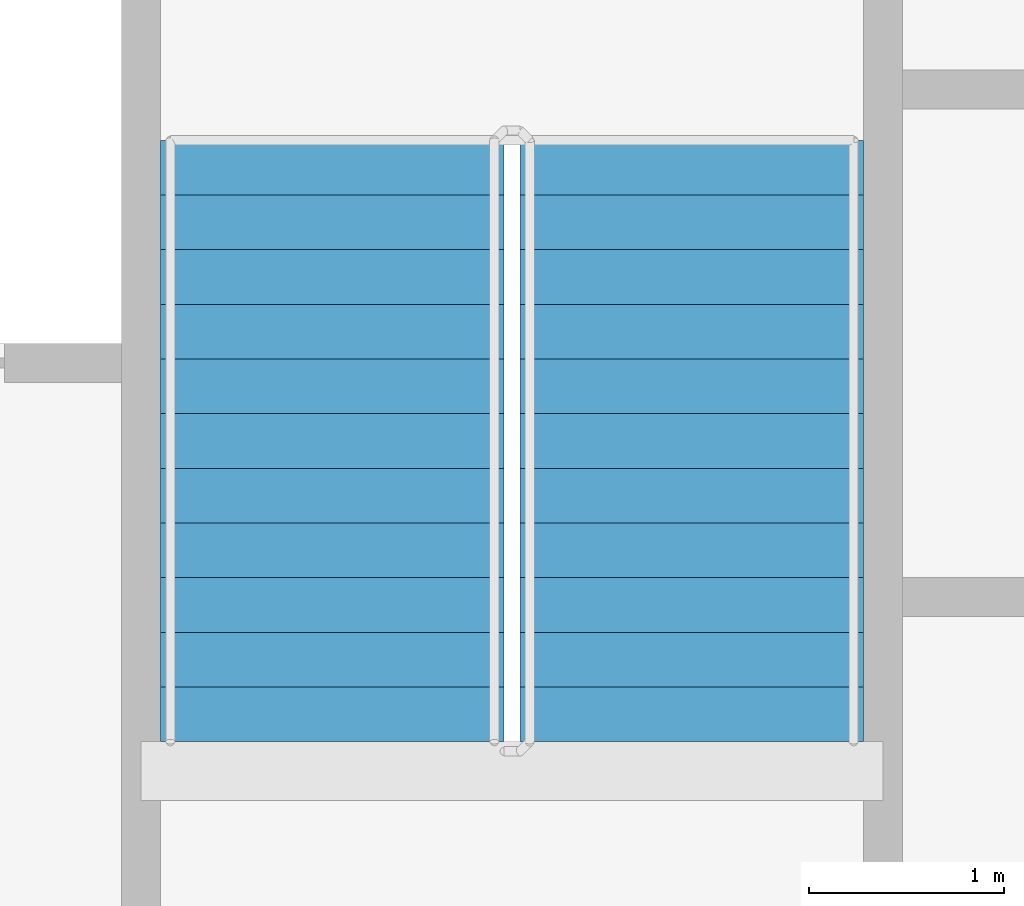
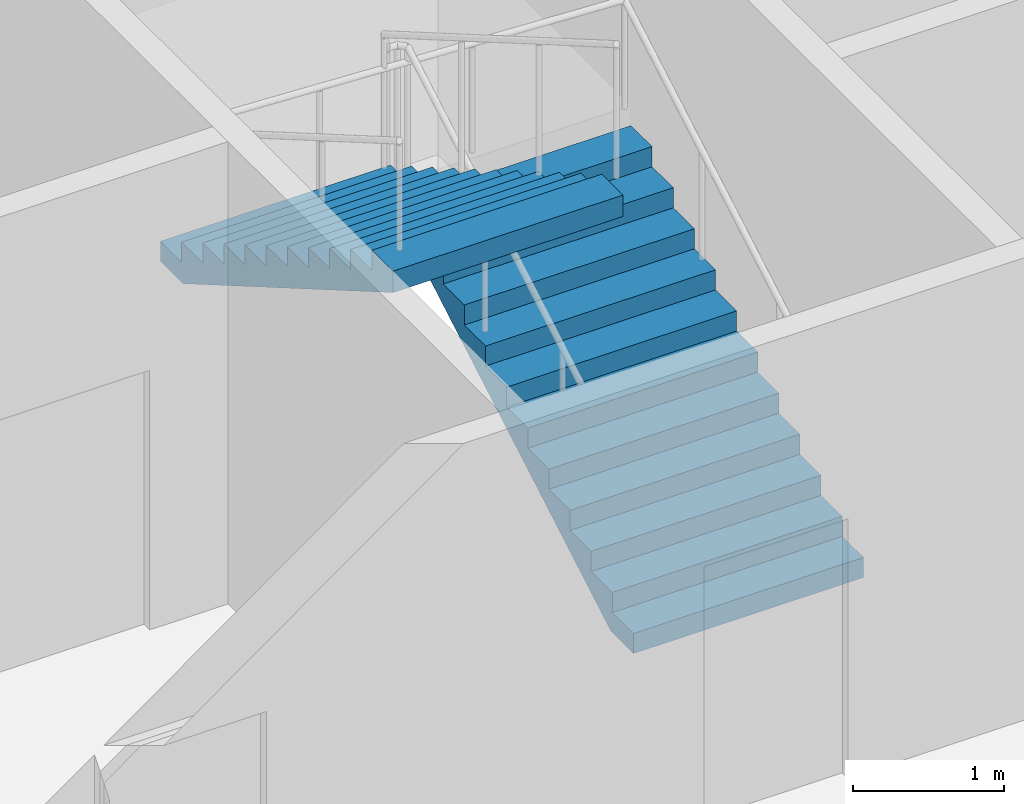
# One storey, part 10 of 15: 2 stair flights, 1 element without a shape of its own.
"""IFC4 building model written with IfcOpenShell, lengths in metres."""

from ifc_helpers import new_model, si_unit, direction, frame, origin, place, context, subcontext, project, spatial, faceted_brep, material, type_object, element, aggregate, save


model = new_model("IFC4")

# Units and contexts
model_context = context("Model", 3, precision=1e-05, world=origin(), true_north=direction((0.0, 1.0)))
body_context = subcontext(model_context, "Body", "Model", "MODEL_VIEW")
ifc_project = project(units=[si_unit("LENGTHUNIT", "METRE"), si_unit("AREAUNIT", "SQUARE_METRE"), si_unit("VOLUMEUNIT", "CUBIC_METRE"), si_unit("PLANEANGLEUNIT", "RADIAN"), si_unit("MASSUNIT", "GRAM", prefix="KILO")], contexts=[model_context])

# Site, building, storey
site_placement = place(None, origin())
site = spatial("IfcSite", under=ifc_project, at=site_placement, CompositionType="ELEMENT")
building_placement = place(site_placement, origin())
building = spatial("IfcBuilding", under=site, at=building_placement, Name="Tarsis Ring Headquarters", CompositionType="ELEMENT")
storey_placement = place(building_placement, frame((0.0, 0.0, 51.699951171875)))
storey = spatial("IfcBuildingStorey", under=building, at=storey_placement, Name="L10", CompositionType="ELEMENT", Elevation=51.699951171875)

# Stair, stair flights
ifc_material_1 = material(Name="Core stair 1760")
stair_type = type_object("IfcStairType", Name="Core stair 1760", PredefinedType="HALF_TURN_STAIR", material=ifc_material_1)
stair_placement = place(storey_placement, origin())
stair = element("IfcStair", 1, at=stair_placement, inside=storey, type_object=stair_type, Name="L10 Exit stair B", PredefinedType="HALF_TURN_STAIR")
ifc_material_2 = material(Name="Concrete C40/50", Category="concrete")
stair_flight_type = type_object("IfcStairFlightType", Name="Core stair flight 1760", PredefinedType="STRAIGHT", material=ifc_material_2)
stair_flight_1_placement = place(storey_placement, frame((5.419921875, 3.659912109375, 0.0), z_axis=(0.0, 0.0, 1.0), x_axis=(0.0, 1.0, 0.0)))
stair_flight_1 = element("IfcStairFlight", 2, at=stair_flight_1_placement, type_object=stair_flight_type, Name="Stair ST2 flight 1", NumberOfRisers=12, NumberOfTreads=11, PredefinedType="STRAIGHT", RiserHeight=0.1625, TreadLength=0.28, context=body_context, shape_type="Brep", body=[
    faceted_brep([(0.0, 0.8798828125, 0.0), (0.0, 0.8798828125, 0.16259765625), (0.280029296875, 0.8798828125, 0.16259765625), (0.280029296875, 0.8798828125, 0.324951171875), (0.56005859375, 0.8798828125, 0.324951171875), (0.56005859375, 0.8798828125, 0.487548828125), (0.840087890625, 0.8798828125, 0.487548828125), (0.840087890625, 0.8798828125, 0.64990234375), (1.1201171875, 0.8798828125, 0.64990234375), (1.1201171875, 0.8798828125, 0.8125), (1.39990234375, 0.8798828125, 0.8125), (1.39990234375, 0.8798828125, 0.97509765625), (1.679931640625, 0.8798828125, 0.97509765625), (1.679931640625, 0.8798828125, 1.137451171875), (1.9599609375, 0.8798828125, 1.137451171875), (1.9599609375, 0.8798828125, 1.300048828125), (2.239990234375, 0.8798828125, 1.300048828125), (2.239990234375, 0.8798828125, 1.46240234375), (2.52001953125, 0.8798828125, 1.46240234375), (2.52001953125, 0.8798828125, 1.625), (2.800048828125, 0.8798828125, 1.625), (2.800048828125, 0.8798828125, 1.78759765625), (3.080078125, 0.8798828125, 1.78759765625), (3.080078125, 0.8798828125, 1.6142578125), (0.298583984375, 0.8798828125, 0.0), (0.298583984375, -0.8798828125, 0.0), (3.080078125, -0.8798828125, 1.6142578125), (3.080078125, -0.8798828125, 1.78759765625), (2.800048828125, -0.8798828125, 1.78759765625), (2.800048828125, -0.8798828125, 1.625), (2.52001953125, -0.8798828125, 1.625), (2.52001953125, -0.8798828125, 1.46240234375), (2.239990234375, -0.8798828125, 1.46240234375), (2.239990234375, -0.8798828125, 1.300048828125), (1.9599609375, -0.8798828125, 1.300048828125), (1.9599609375, -0.8798828125, 1.137451171875), (1.679931640625, -0.8798828125, 1.137451171875), (1.679931640625, -0.8798828125, 0.97509765625), (1.39990234375, -0.8798828125, 0.97509765625), (1.39990234375, -0.8798828125, 0.8125), (1.1201171875, -0.8798828125, 0.8125), (1.1201171875, -0.8798828125, 0.64990234375), (0.840087890625, -0.8798828125, 0.64990234375), (0.840087890625, -0.8798828125, 0.487548828125), (0.56005859375, -0.8798828125, 0.487548828125), (0.56005859375, -0.8798828125, 0.324951171875), (0.280029296875, -0.8798828125, 0.324951171875), (0.280029296875, -0.8798828125, 0.16259765625), (0.0, -0.8798828125, 0.16259765625), (0.0, -0.8798828125, 0.0), (0.0, -0.43994140625, 0.16259765625), (0.0, -0.43994140625, 0.0), (0.0, 0.0, 0.16259765625), (0.0, 0.0, 0.0), (0.0, 0.43994140625, 0.16259765625), (0.0, 0.43994140625, 0.0), (0.280029296875, -0.43994140625, 0.16259765625), (0.280029296875, 0.0, 0.16259765625), (0.280029296875, 0.43994140625, 0.16259765625), (0.280029296875, -0.43994140625, 0.324951171875), (0.280029296875, 0.0, 0.324951171875), (0.280029296875, 0.43994140625, 0.324951171875), (0.56005859375, -0.43994140625, 0.324951171875), (0.56005859375, 0.0, 0.324951171875), (0.56005859375, 0.43994140625, 0.324951171875), (0.56005859375, -0.43994140625, 0.487548828125), (0.56005859375, 0.0, 0.487548828125), (0.56005859375, 0.43994140625, 0.487548828125), (0.840087890625, -0.43994140625, 0.487548828125), (0.840087890625, 0.0, 0.487548828125), (0.840087890625, 0.43994140625, 0.487548828125), (0.840087890625, -0.43994140625, 0.64990234375), (0.840087890625, 0.0, 0.64990234375), (0.840087890625, 0.43994140625, 0.64990234375), (1.1201171875, -0.43994140625, 0.64990234375), (1.1201171875, 0.0, 0.64990234375), (1.1201171875, 0.43994140625, 0.64990234375), (1.1201171875, -0.43994140625, 0.8125), (1.1201171875, 0.0, 0.8125), (1.1201171875, 0.43994140625, 0.8125), (1.39990234375, -0.43994140625, 0.8125), (1.39990234375, 0.0, 0.8125), (1.39990234375, 0.43994140625, 0.8125), (1.39990234375, -0.43994140625, 0.97509765625), (1.39990234375, 0.0, 0.97509765625), (1.39990234375, 0.43994140625, 0.97509765625), (1.679931640625, -0.43994140625, 0.97509765625), (1.679931640625, 0.0, 0.97509765625), (1.679931640625, 0.43994140625, 0.97509765625), (1.679931640625, -0.43994140625, 1.137451171875), (1.679931640625, 0.0, 1.137451171875), (1.679931640625, 0.43994140625, 1.137451171875), (1.9599609375, -0.43994140625, 1.137451171875), (1.9599609375, 0.0, 1.137451171875), (1.9599609375, 0.43994140625, 1.137451171875), (1.9599609375, -0.43994140625, 1.300048828125), (1.9599609375, 0.0, 1.300048828125), (1.9599609375, 0.43994140625, 1.300048828125), (2.239990234375, -0.43994140625, 1.300048828125), (2.239990234375, 0.0, 1.300048828125), (2.239990234375, 0.43994140625, 1.300048828125), (2.239990234375, -0.43994140625, 1.46240234375), (2.239990234375, 0.0, 1.46240234375), (2.239990234375, 0.43994140625, 1.46240234375), (2.52001953125, -0.43994140625, 1.46240234375), (2.52001953125, 0.0, 1.46240234375), (2.52001953125, 0.43994140625, 1.46240234375), (2.52001953125, -0.43994140625, 1.625), (2.52001953125, 0.0, 1.625), (2.52001953125, 0.43994140625, 1.625), (2.800048828125, -0.43994140625, 1.625), (2.800048828125, 0.0, 1.625), (2.800048828125, 0.43994140625, 1.625), (2.800048828125, -0.43994140625, 1.78759765625), (2.800048828125, 0.0, 1.78759765625), (2.800048828125, 0.43994140625, 1.78759765625), (3.080078125, -0.43994140625, 1.78759765625), (3.080078125, 0.0, 1.78759765625), (3.080078125, 0.43994140625, 1.78759765625), (3.080078125, -0.43994140625, 1.6142578125), (3.080078125, 0.0, 1.6142578125), (3.080078125, 0.43994140625, 1.6142578125), (0.298583984375, -0.43994140625, 0.0), (0.298583984375, 0.0, 0.0), (0.298583984375, 0.43994140625, 0.0)], [[[0, 1, 2, 3, 4, 5, 6, 7, 8, 9, 10, 11, 12, 13, 14, 15, 16, 17, 18, 19, 20, 21, 22, 23, 24]], [[25, 26, 27, 28, 29, 30, 31, 32, 33, 34, 35, 36, 37, 38, 39, 40, 41, 42, 43, 44, 45, 46, 47, 48, 49]], [[49, 48, 50, 51]], [[51, 50, 52, 53]], [[53, 52, 54, 55]], [[55, 54, 1, 0]], [[48, 47, 56, 50]], [[50, 56, 57, 52]], [[52, 57, 58, 54]], [[54, 58, 2, 1]], [[47, 46, 59, 56]], [[56, 59, 60, 57]], [[57, 60, 61, 58]], [[58, 61, 3, 2]], [[46, 45, 62, 59]], [[59, 62, 63, 60]], [[60, 63, 64, 61]], [[61, 64, 4, 3]], [[45, 44, 65, 62]], [[62, 65, 66, 63]], [[63, 66, 67, 64]], [[64, 67, 5, 4]], [[44, 43, 68, 65]], [[65, 68, 69, 66]], [[66, 69, 70, 67]], [[67, 70, 6, 5]], [[43, 42, 71, 68]], [[68, 71, 72, 69]], [[69, 72, 73, 70]], [[70, 73, 7, 6]], [[42, 41, 74, 71]], [[71, 74, 75, 72]], [[72, 75, 76, 73]], [[73, 76, 8, 7]], [[41, 40, 77, 74]], [[74, 77, 78, 75]], [[75, 78, 79, 76]], [[76, 79, 9, 8]], [[40, 39, 80, 77]], [[77, 80, 81, 78]], [[78, 81, 82, 79]], [[79, 82, 10, 9]], [[39, 38, 83, 80]], [[80, 83, 84, 81]], [[81, 84, 85, 82]], [[82, 85, 11, 10]], [[38, 37, 86, 83]], [[83, 86, 87, 84]], [[84, 87, 88, 85]], [[85, 88, 12, 11]], [[37, 36, 89, 86]], [[86, 89, 90, 87]], [[87, 90, 91, 88]], [[88, 91, 13, 12]], [[36, 35, 92, 89]], [[89, 92, 93, 90]], [[90, 93, 94, 91]], [[91, 94, 14, 13]], [[35, 34, 95, 92]], [[92, 95, 96, 93]], [[93, 96, 97, 94]], [[94, 97, 15, 14]], [[34, 33, 98, 95]], [[95, 98, 99, 96]], [[96, 99, 100, 97]], [[97, 100, 16, 15]], [[33, 32, 101, 98]], [[98, 101, 102, 99]], [[99, 102, 103, 100]], [[100, 103, 17, 16]], [[32, 31, 104, 101]], [[101, 104, 105, 102]], [[102, 105, 106, 103]], [[103, 106, 18, 17]], [[31, 30, 107, 104]], [[104, 107, 108, 105]], [[105, 108, 109, 106]], [[106, 109, 19, 18]], [[30, 29, 110, 107]], [[107, 110, 111, 108]], [[108, 111, 112, 109]], [[109, 112, 20, 19]], [[29, 28, 113, 110]], [[110, 113, 114, 111]], [[111, 114, 115, 112]], [[112, 115, 21, 20]], [[28, 27, 116, 113]], [[113, 116, 117, 114]], [[114, 117, 118, 115]], [[115, 118, 22, 21]], [[27, 26, 119, 116]], [[116, 119, 120, 117]], [[117, 120, 121, 118]], [[118, 121, 23, 22]], [[26, 25, 122, 119]], [[119, 122, 123, 120]], [[120, 123, 124, 121]], [[121, 124, 24, 23]], [[25, 49, 51, 122]], [[122, 51, 53, 123]], [[123, 53, 55, 124]], [[124, 55, 0, 24]]]),
])
stair_flight_2_placement = place(storey_placement, frame((3.580078125, 6.739990234375, 1.949951171875), z_axis=(0.0, 0.0, 1.0), x_axis=(0.0, -1.0, 0.0)))
stair_flight_2 = element("IfcStairFlight", 3, at=stair_flight_2_placement, type_object=stair_flight_type, Name="Stair ST2 flight 2", NumberOfRisers=12, NumberOfTreads=11, PredefinedType="STRAIGHT", RiserHeight=0.1625, TreadLength=0.28, context=body_context, shape_type="Brep", body=[
    faceted_brep([(0.0, 0.8798828125, 0.0), (0.0, 0.8798828125, 0.16259765625), (0.280029296875, 0.8798828125, 0.16259765625), (0.280029296875, 0.8798828125, 0.324951171875), (0.56005859375, 0.8798828125, 0.324951171875), (0.56005859375, 0.8798828125, 0.487548828125), (0.840087890625, 0.8798828125, 0.487548828125), (0.840087890625, 0.8798828125, 0.64990234375), (1.1201171875, 0.8798828125, 0.64990234375), (1.1201171875, 0.8798828125, 0.8125), (1.39990234375, 0.8798828125, 0.8125), (1.39990234375, 0.8798828125, 0.97509765625), (1.679931640625, 0.8798828125, 0.97509765625), (1.679931640625, 0.8798828125, 1.137451171875), (1.9599609375, 0.8798828125, 1.137451171875), (1.9599609375, 0.8798828125, 1.300048828125), (2.239990234375, 0.8798828125, 1.300048828125), (2.239990234375, 0.8798828125, 1.46240234375), (2.52001953125, 0.8798828125, 1.46240234375), (2.52001953125, 0.8798828125, 1.625), (2.800048828125, 0.8798828125, 1.625), (2.800048828125, 0.8798828125, 1.78759765625), (3.080078125, 0.8798828125, 1.78759765625), (3.080078125, 0.8798828125, 1.6142578125), (0.298583984375, 0.8798828125, 0.0), (0.298583984375, -0.8798828125, 0.0), (3.080078125, -0.8798828125, 1.6142578125), (3.080078125, -0.8798828125, 1.78759765625), (2.800048828125, -0.8798828125, 1.78759765625), (2.800048828125, -0.8798828125, 1.625), (2.52001953125, -0.8798828125, 1.625), (2.52001953125, -0.8798828125, 1.46240234375), (2.239990234375, -0.8798828125, 1.46240234375), (2.239990234375, -0.8798828125, 1.300048828125), (1.9599609375, -0.8798828125, 1.300048828125), (1.9599609375, -0.8798828125, 1.137451171875), (1.679931640625, -0.8798828125, 1.137451171875), (1.679931640625, -0.8798828125, 0.97509765625), (1.39990234375, -0.8798828125, 0.97509765625), (1.39990234375, -0.8798828125, 0.8125), (1.1201171875, -0.8798828125, 0.8125), (1.1201171875, -0.8798828125, 0.64990234375), (0.840087890625, -0.8798828125, 0.64990234375), (0.840087890625, -0.8798828125, 0.487548828125), (0.56005859375, -0.8798828125, 0.487548828125), (0.56005859375, -0.8798828125, 0.324951171875), (0.280029296875, -0.8798828125, 0.324951171875), (0.280029296875, -0.8798828125, 0.16259765625), (0.0, -0.8798828125, 0.16259765625), (0.0, -0.8798828125, 0.0), (0.0, -0.43994140625, 0.16259765625), (0.0, -0.43994140625, 0.0), (0.0, 0.0, 0.16259765625), (0.0, 0.0, 0.0), (0.0, 0.43994140625, 0.16259765625), (0.0, 0.43994140625, 0.0), (0.280029296875, -0.43994140625, 0.16259765625), (0.280029296875, 0.0, 0.16259765625), (0.280029296875, 0.43994140625, 0.16259765625), (0.280029296875, -0.43994140625, 0.324951171875), (0.280029296875, 0.0, 0.324951171875), (0.280029296875, 0.43994140625, 0.324951171875), (0.56005859375, -0.43994140625, 0.324951171875), (0.56005859375, 0.0, 0.324951171875), (0.56005859375, 0.43994140625, 0.324951171875), (0.56005859375, -0.43994140625, 0.487548828125), (0.56005859375, 0.0, 0.487548828125), (0.56005859375, 0.43994140625, 0.487548828125), (0.840087890625, -0.43994140625, 0.487548828125), (0.840087890625, 0.0, 0.487548828125), (0.840087890625, 0.43994140625, 0.487548828125), (0.840087890625, -0.43994140625, 0.64990234375), (0.840087890625, 0.0, 0.64990234375), (0.840087890625, 0.43994140625, 0.64990234375), (1.1201171875, -0.43994140625, 0.64990234375), (1.1201171875, 0.0, 0.64990234375), (1.1201171875, 0.43994140625, 0.64990234375), (1.1201171875, -0.43994140625, 0.8125), (1.1201171875, 0.0, 0.8125), (1.1201171875, 0.43994140625, 0.8125), (1.39990234375, -0.43994140625, 0.8125), (1.39990234375, 0.0, 0.8125), (1.39990234375, 0.43994140625, 0.8125), (1.39990234375, -0.43994140625, 0.97509765625), (1.39990234375, 0.0, 0.97509765625), (1.39990234375, 0.43994140625, 0.97509765625), (1.679931640625, -0.43994140625, 0.97509765625), (1.679931640625, 0.0, 0.97509765625), (1.679931640625, 0.43994140625, 0.97509765625), (1.679931640625, -0.43994140625, 1.137451171875), (1.679931640625, 0.0, 1.137451171875), (1.679931640625, 0.43994140625, 1.137451171875), (1.9599609375, -0.43994140625, 1.137451171875), (1.9599609375, 0.0, 1.137451171875), (1.9599609375, 0.43994140625, 1.137451171875), (1.9599609375, -0.43994140625, 1.300048828125), (1.9599609375, 0.0, 1.300048828125), (1.9599609375, 0.43994140625, 1.300048828125), (2.239990234375, -0.43994140625, 1.300048828125), (2.239990234375, 0.0, 1.300048828125), (2.239990234375, 0.43994140625, 1.300048828125), (2.239990234375, -0.43994140625, 1.46240234375), (2.239990234375, 0.0, 1.46240234375), (2.239990234375, 0.43994140625, 1.46240234375), (2.52001953125, -0.43994140625, 1.46240234375), (2.52001953125, 0.0, 1.46240234375), (2.52001953125, 0.43994140625, 1.46240234375), (2.52001953125, -0.43994140625, 1.625), (2.52001953125, 0.0, 1.625), (2.52001953125, 0.43994140625, 1.625), (2.800048828125, -0.43994140625, 1.625), (2.800048828125, 0.0, 1.625), (2.800048828125, 0.43994140625, 1.625), (2.800048828125, -0.43994140625, 1.78759765625), (2.800048828125, 0.0, 1.78759765625), (2.800048828125, 0.43994140625, 1.78759765625), (3.080078125, -0.43994140625, 1.78759765625), (3.080078125, 0.0, 1.78759765625), (3.080078125, 0.43994140625, 1.78759765625), (3.080078125, -0.43994140625, 1.6142578125), (3.080078125, 0.0, 1.6142578125), (3.080078125, 0.43994140625, 1.6142578125), (0.298583984375, -0.43994140625, 0.0), (0.298583984375, 0.0, 0.0), (0.298583984375, 0.43994140625, 0.0)], [[[0, 1, 2, 3, 4, 5, 6, 7, 8, 9, 10, 11, 12, 13, 14, 15, 16, 17, 18, 19, 20, 21, 22, 23, 24]], [[25, 26, 27, 28, 29, 30, 31, 32, 33, 34, 35, 36, 37, 38, 39, 40, 41, 42, 43, 44, 45, 46, 47, 48, 49]], [[49, 48, 50, 51]], [[51, 50, 52, 53]], [[53, 52, 54, 55]], [[55, 54, 1, 0]], [[48, 47, 56, 50]], [[50, 56, 57, 52]], [[52, 57, 58, 54]], [[54, 58, 2, 1]], [[47, 46, 59, 56]], [[56, 59, 60, 57]], [[57, 60, 61, 58]], [[58, 61, 3, 2]], [[46, 45, 62, 59]], [[59, 62, 63, 60]], [[60, 63, 64, 61]], [[61, 64, 4, 3]], [[45, 44, 65, 62]], [[62, 65, 66, 63]], [[63, 66, 67, 64]], [[64, 67, 5, 4]], [[44, 43, 68, 65]], [[65, 68, 69, 66]], [[66, 69, 70, 67]], [[67, 70, 6, 5]], [[43, 42, 71, 68]], [[68, 71, 72, 69]], [[69, 72, 73, 70]], [[70, 73, 7, 6]], [[42, 41, 74, 71]], [[71, 74, 75, 72]], [[72, 75, 76, 73]], [[73, 76, 8, 7]], [[41, 40, 77, 74]], [[74, 77, 78, 75]], [[75, 78, 79, 76]], [[76, 79, 9, 8]], [[40, 39, 80, 77]], [[77, 80, 81, 78]], [[78, 81, 82, 79]], [[79, 82, 10, 9]], [[39, 38, 83, 80]], [[80, 83, 84, 81]], [[81, 84, 85, 82]], [[82, 85, 11, 10]], [[38, 37, 86, 83]], [[83, 86, 87, 84]], [[84, 87, 88, 85]], [[85, 88, 12, 11]], [[37, 36, 89, 86]], [[86, 89, 90, 87]], [[87, 90, 91, 88]], [[88, 91, 13, 12]], [[36, 35, 92, 89]], [[89, 92, 93, 90]], [[90, 93, 94, 91]], [[91, 94, 14, 13]], [[35, 34, 95, 92]], [[92, 95, 96, 93]], [[93, 96, 97, 94]], [[94, 97, 15, 14]], [[34, 33, 98, 95]], [[95, 98, 99, 96]], [[96, 99, 100, 97]], [[97, 100, 16, 15]], [[33, 32, 101, 98]], [[98, 101, 102, 99]], [[99, 102, 103, 100]], [[100, 103, 17, 16]], [[32, 31, 104, 101]], [[101, 104, 105, 102]], [[102, 105, 106, 103]], [[103, 106, 18, 17]], [[31, 30, 107, 104]], [[104, 107, 108, 105]], [[105, 108, 109, 106]], [[106, 109, 19, 18]], [[30, 29, 110, 107]], [[107, 110, 111, 108]], [[108, 111, 112, 109]], [[109, 112, 20, 19]], [[29, 28, 113, 110]], [[110, 113, 114, 111]], [[111, 114, 115, 112]], [[112, 115, 21, 20]], [[28, 27, 116, 113]], [[113, 116, 117, 114]], [[114, 117, 118, 115]], [[115, 118, 22, 21]], [[27, 26, 119, 116]], [[116, 119, 120, 117]], [[117, 120, 121, 118]], [[118, 121, 23, 22]], [[26, 25, 122, 119]], [[119, 122, 123, 120]], [[120, 123, 124, 121]], [[121, 124, 24, 23]], [[25, 49, 51, 122]], [[122, 51, 53, 123]], [[123, 53, 55, 124]], [[124, 55, 0, 24]]]),
])
aggregate(stair, [stair_flight_1, stair_flight_2])

save(model, "model.ifc")
